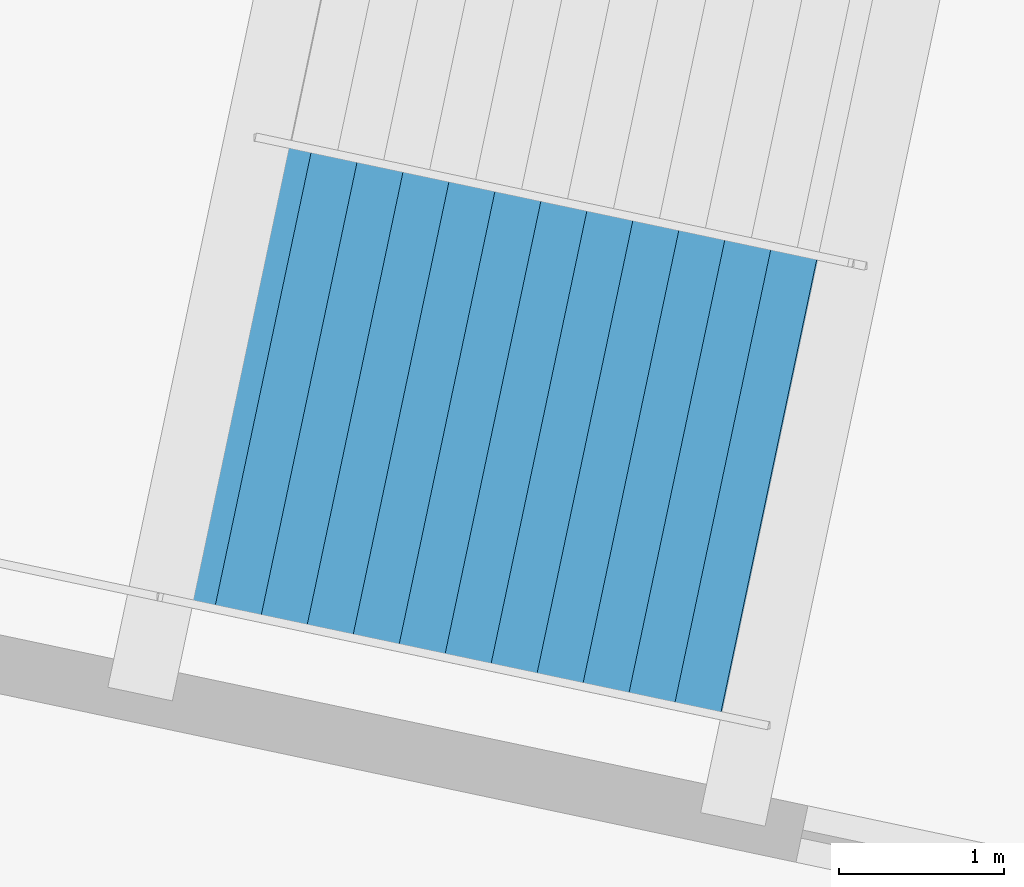
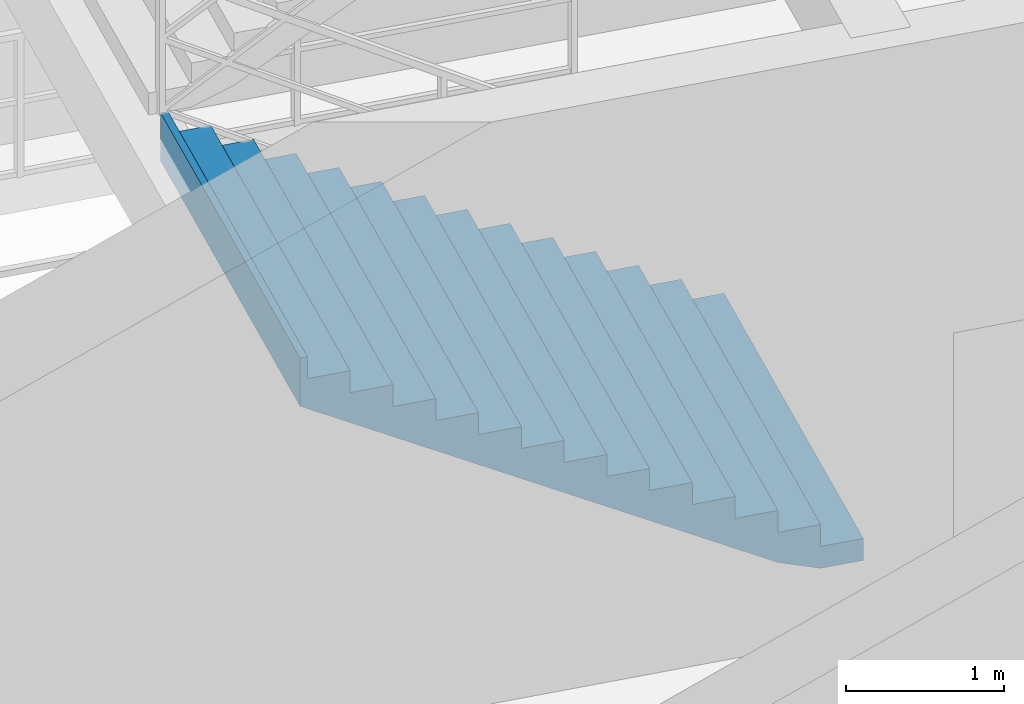
# One storey, part 140 of 156: 1 stair flight, 1 element without a shape of its own.
"""IFC4 building model written with IfcOpenShell, lengths in metres."""

from ifc_helpers import new_model, si_unit, direction, frame, origin, place, context, subcontext, project, spatial, polygons, material, type_object, element, aggregate, save


model = new_model("IFC4")

# Units and contexts
model_context = context("Model", 3, precision=1e-05, world=origin(), true_north=direction((0.0, 1.0)))
body_context = subcontext(model_context, "Body", "Model", "MODEL_VIEW")
ifc_project = project(units=[si_unit("LENGTHUNIT", "METRE"), si_unit("AREAUNIT", "SQUARE_METRE"), si_unit("VOLUMEUNIT", "CUBIC_METRE"), si_unit("PLANEANGLEUNIT", "RADIAN"), si_unit("MASSUNIT", "GRAM", prefix="KILO")], contexts=[model_context])

# Site, building, storey
site_placement = place(None, origin())
site = spatial("IfcSite", under=ifc_project, at=site_placement, CompositionType="ELEMENT")
building_placement = place(site_placement, origin())
building = spatial("IfcBuilding", under=site, at=building_placement, Name="Kazemori Nagisa Stadium", CompositionType="ELEMENT")
storey_placement = place(building_placement, frame((0.0, 0.0, 5.780029296875)))
storey = spatial("IfcBuildingStorey", under=building, at=storey_placement, Name="L01", CompositionType="ELEMENT", Elevation=5.780029296875)

# Stair, stair flight
ifc_material = material(Name="Concrete C36/45 (Fc36)", Category="concrete")
stair_type = type_object("IfcStairType", Name="Stair_CORE_28", PredefinedType="TWO_STRAIGHT_RUN_STAIR", material=ifc_material)
stair_placement = place(storey_placement, origin())
stair = element("IfcStair", 1, at=stair_placement, inside=storey, type_object=stair_type, Name="Exit stair ST11 L01", PredefinedType="TWO_STRAIGHT_RUN_STAIR")
stair_flight_type = type_object("IfcStairFlightType", Name="Flight_CORE_14", PredefinedType="STRAIGHT", material=ifc_material)
stair_flight_placement = place(storey_placement, frame((158.251953125, 176.464111328125, 0.0), z_axis=(0.0, 0.0, 1.0), x_axis=(-0.978345854204, 0.206976785078, 0.0)))
stair_flight = element("IfcStairFlight", 2, at=stair_flight_placement, type_object=stair_flight_type, Name="Exit stair ST11 L01 flight 1", NumberOfRisers=14, NumberOfTreads=13, PredefinedType="STRAIGHT", RiserHeight=0.17, TreadLength=0.285, context=body_context, shape_type="Tessellation", body=[
    polygons([(0.0, -1.425048828125, 0.0), (0.0, -1.425048828125, 0.169921875), (0.284912109375, -1.425048828125, 0.169921875), (0.284912109375, -1.425048828125, 0.340087890625), (0.570068359375, -1.425048828125, 0.340087890625), (0.570068359375, -1.425048828125, 0.510009765625), (0.85498046875, -1.425048828125, 0.510009765625), (0.85498046875, -1.425048828125, 0.679931640625), (1.139892578125, -1.425048828125, 0.679931640625), (1.139892578125, -1.425048828125, 0.85009765625), (1.425048828125, -1.425048828125, 0.85009765625), (1.425048828125, -1.425048828125, 1.02001953125), (1.7099609375, -1.425048828125, 1.02001953125), (1.7099609375, -1.425048828125, 1.18994140625), (1.9951171875, -1.425048828125, 1.18994140625), (1.9951171875, -1.425048828125, 1.360107421875), (2.280029296875, -1.425048828125, 1.360107421875), (2.280029296875, -1.425048828125, 1.530029296875), (2.56494140625, -1.425048828125, 1.530029296875), (2.56494140625, -1.425048828125, 1.699951171875), (2.85009765625, -1.425048828125, 1.699951171875), (2.85009765625, -1.425048828125, 1.8701171875), (3.135009765625, -1.425048828125, 1.8701171875), (3.135009765625, -1.425048828125, 2.0400390625), (3.419921875, -1.425048828125, 2.0400390625), (3.419921875, -1.425048828125, 2.2099609375), (3.705078125, -1.425048828125, 2.2099609375), (3.705078125, -1.425048828125, 2.3798828125), (3.7548828125, -1.425048828125, 2.3798828125), (3.7548828125, -1.425048828125, 2.007080078125), (3.705078125, -1.425048828125, 1.977294921875), (3.419921875, -1.425048828125, 1.80712890625), (3.135009765625, -1.425048828125, 1.63720703125), (2.85009765625, -1.425048828125, 1.46728515625), (2.56494140625, -1.425048828125, 1.297119140625), (2.280029296875, -1.425048828125, 1.127197265625), (1.9951171875, -1.425048828125, 0.957275390625), (1.7099609375, -1.425048828125, 0.787109375), (1.425048828125, -1.425048828125, 0.6171875), (1.139892578125, -1.425048828125, 0.447265625), (0.85498046875, -1.425048828125, 0.277099609375), (0.570068359375, -1.425048828125, 0.107177734375), (0.284912109375, -1.425048828125, 0.0), (0.0, -0.08544921875, 0.0), (0.0, -0.08544921875, 0.169921875), (0.284912109375, -0.08544921875, 0.169921875), (0.284912109375, -0.08544921875, 0.340087890625), (0.570068359375, -0.08544921875, 0.340087890625), (0.570068359375, -0.08544921875, 0.510009765625), (0.85498046875, -0.08544921875, 0.510009765625), (0.85498046875, -0.08544921875, 0.679931640625), (1.139892578125, -0.08544921875, 0.679931640625), (1.139892578125, -0.08544921875, 0.85009765625), (1.425048828125, -0.08544921875, 0.85009765625), (1.425048828125, -0.08544921875, 1.02001953125), (1.7099609375, -0.08544921875, 1.02001953125), (1.7099609375, -0.08544921875, 1.18994140625), (1.9951171875, -0.08544921875, 1.18994140625), (1.9951171875, -0.08544921875, 1.360107421875), (2.280029296875, -0.08544921875, 1.360107421875), (2.280029296875, -0.08544921875, 1.530029296875), (2.56494140625, -0.08544921875, 1.530029296875), (2.56494140625, -0.08544921875, 1.699951171875), (2.85009765625, -0.08544921875, 1.699951171875), (2.85009765625, -0.08544921875, 1.8701171875), (3.135009765625, -0.08544921875, 1.8701171875), (3.135009765625, -0.08544921875, 2.0400390625), (3.419921875, -0.08544921875, 2.0400390625), (3.419921875, -0.08544921875, 2.2099609375), (3.705078125, -0.08544921875, 2.2099609375), (3.705078125, -0.08544921875, 2.3798828125), (3.7548828125, -0.08544921875, 2.3798828125), (3.7548828125, -0.08544921875, 2.007080078125), (3.705078125, -0.08544921875, 1.977294921875), (3.419921875, -0.08544921875, 1.80712890625), (3.135009765625, -0.08544921875, 1.63720703125), (2.85009765625, -0.08544921875, 1.46728515625), (2.56494140625, -0.08544921875, 1.297119140625), (2.280029296875, -0.08544921875, 1.127197265625), (1.9951171875, -0.08544921875, 0.957275390625), (1.7099609375, -0.08544921875, 0.787109375), (1.425048828125, -0.08544921875, 0.6171875), (1.139892578125, -0.08544921875, 0.447265625), (0.85498046875, -0.08544921875, 0.277099609375), (0.570068359375, -0.08544921875, 0.107177734375), (0.284912109375, -0.08544921875, 0.0), (0.0, 0.0, 0.0), (0.0, 0.0, 0.169921875), (0.284912109375, 0.0, 0.169921875), (0.284912109375, 0.0, 0.340087890625), (0.570068359375, 0.0, 0.340087890625), (0.570068359375, 0.0, 0.510009765625), (0.85498046875, 0.0, 0.510009765625), (0.85498046875, 0.0, 0.679931640625), (1.139892578125, 0.0, 0.679931640625), (1.139892578125, 0.0, 0.85009765625), (1.425048828125, 0.0, 0.85009765625), (1.425048828125, 0.0, 1.02001953125), (1.7099609375, 0.0, 1.02001953125), (1.7099609375, 0.0, 1.18994140625), (1.9951171875, 0.0, 1.18994140625), (1.9951171875, 0.0, 1.360107421875), (2.280029296875, 0.0, 1.360107421875), (2.280029296875, 0.0, 1.530029296875), (2.56494140625, 0.0, 1.530029296875), (2.56494140625, 0.0, 1.699951171875), (2.85009765625, 0.0, 1.699951171875), (2.85009765625, 0.0, 1.8701171875), (3.135009765625, 0.0, 1.8701171875), (3.135009765625, 0.0, 2.0400390625), (3.419921875, 0.0, 2.0400390625), (3.419921875, 0.0, 2.2099609375), (3.705078125, 0.0, 2.2099609375), (3.705078125, 0.0, 2.3798828125), (3.7548828125, 0.0, 2.3798828125), (3.7548828125, 0.0, 2.007080078125), (3.705078125, 0.0, 1.977294921875), (3.419921875, 0.0, 1.80712890625), (3.135009765625, 0.0, 1.63720703125), (2.85009765625, 0.0, 1.46728515625), (2.56494140625, 0.0, 1.297119140625), (2.280029296875, 0.0, 1.127197265625), (1.9951171875, 0.0, 0.957275390625), (1.7099609375, 0.0, 0.787109375), (1.425048828125, 0.0, 0.6171875), (1.139892578125, 0.0, 0.447265625), (0.85498046875, 0.0, 0.277099609375), (0.570068359375, 0.0, 0.107177734375), (0.284912109375, 0.0, 0.0), (0.0, 0.08544921875, 0.0), (0.0, 0.08544921875, 0.169921875), (0.284912109375, 0.08544921875, 0.169921875), (0.284912109375, 0.08544921875, 0.340087890625), (0.570068359375, 0.08544921875, 0.340087890625), (0.570068359375, 0.08544921875, 0.510009765625), (0.85498046875, 0.08544921875, 0.510009765625), (0.85498046875, 0.08544921875, 0.679931640625), (1.139892578125, 0.08544921875, 0.679931640625), (1.139892578125, 0.08544921875, 0.85009765625), (1.425048828125, 0.08544921875, 0.85009765625), (1.425048828125, 0.08544921875, 1.02001953125), (1.7099609375, 0.08544921875, 1.02001953125), (1.7099609375, 0.08544921875, 1.18994140625), (1.9951171875, 0.08544921875, 1.18994140625), (1.9951171875, 0.08544921875, 1.360107421875), (2.280029296875, 0.08544921875, 1.360107421875), (2.280029296875, 0.08544921875, 1.530029296875), (2.56494140625, 0.08544921875, 1.530029296875), (2.56494140625, 0.08544921875, 1.699951171875), (2.85009765625, 0.08544921875, 1.699951171875), (2.85009765625, 0.08544921875, 1.8701171875), (3.135009765625, 0.08544921875, 1.8701171875), (3.135009765625, 0.08544921875, 2.0400390625), (3.419921875, 0.08544921875, 2.0400390625), (3.419921875, 0.08544921875, 2.2099609375), (3.705078125, 0.08544921875, 2.2099609375), (3.705078125, 0.08544921875, 2.3798828125), (3.7548828125, 0.08544921875, 2.3798828125), (3.7548828125, 0.08544921875, 2.007080078125), (3.705078125, 0.08544921875, 1.977294921875), (3.419921875, 0.08544921875, 1.80712890625), (3.135009765625, 0.08544921875, 1.63720703125), (2.85009765625, 0.08544921875, 1.46728515625), (2.56494140625, 0.08544921875, 1.297119140625), (2.280029296875, 0.08544921875, 1.127197265625), (1.9951171875, 0.08544921875, 0.957275390625), (1.7099609375, 0.08544921875, 0.787109375), (1.425048828125, 0.08544921875, 0.6171875), (1.139892578125, 0.08544921875, 0.447265625), (0.85498046875, 0.08544921875, 0.277099609375), (0.570068359375, 0.08544921875, 0.107177734375), (0.284912109375, 0.08544921875, 0.0), (0.0, 1.425048828125, 0.0), (0.0, 1.425048828125, 0.169921875), (0.284912109375, 1.425048828125, 0.169921875), (0.284912109375, 1.425048828125, 0.340087890625), (0.570068359375, 1.425048828125, 0.340087890625), (0.570068359375, 1.425048828125, 0.510009765625), (0.85498046875, 1.425048828125, 0.510009765625), (0.85498046875, 1.425048828125, 0.679931640625), (1.139892578125, 1.425048828125, 0.679931640625), (1.139892578125, 1.425048828125, 0.85009765625), (1.425048828125, 1.425048828125, 0.85009765625), (1.425048828125, 1.425048828125, 1.02001953125), (1.7099609375, 1.425048828125, 1.02001953125), (1.7099609375, 1.425048828125, 1.18994140625), (1.9951171875, 1.425048828125, 1.18994140625), (1.9951171875, 1.425048828125, 1.360107421875), (2.280029296875, 1.425048828125, 1.360107421875), (2.280029296875, 1.425048828125, 1.530029296875), (2.56494140625, 1.425048828125, 1.530029296875), (2.56494140625, 1.425048828125, 1.699951171875), (2.85009765625, 1.425048828125, 1.699951171875), (2.85009765625, 1.425048828125, 1.8701171875), (3.135009765625, 1.425048828125, 1.8701171875), (3.135009765625, 1.425048828125, 2.0400390625), (3.419921875, 1.425048828125, 2.0400390625), (3.419921875, 1.425048828125, 2.2099609375), (3.705078125, 1.425048828125, 2.2099609375), (3.705078125, 1.425048828125, 2.3798828125), (3.7548828125, 1.425048828125, 2.3798828125), (3.7548828125, 1.425048828125, 2.007080078125), (3.705078125, 1.425048828125, 1.977294921875), (3.419921875, 1.425048828125, 1.80712890625), (3.135009765625, 1.425048828125, 1.63720703125), (2.85009765625, 1.425048828125, 1.46728515625), (2.56494140625, 1.425048828125, 1.297119140625), (2.280029296875, 1.425048828125, 1.127197265625), (1.9951171875, 1.425048828125, 0.957275390625), (1.7099609375, 1.425048828125, 0.787109375), (1.425048828125, 1.425048828125, 0.6171875), (1.139892578125, 1.425048828125, 0.447265625), (0.85498046875, 1.425048828125, 0.277099609375), (0.570068359375, 1.425048828125, 0.107177734375), (0.284912109375, 1.425048828125, 0.0)], [[[1, 2, 45]], [[1, 45, 44]], [[2, 3, 46]], [[2, 46, 45]], [[3, 4, 47]], [[3, 47, 46]], [[4, 5, 48]], [[4, 48, 47]], [[5, 6, 49]], [[5, 49, 48]], [[6, 7, 50]], [[6, 50, 49]], [[7, 8, 51]], [[7, 51, 50]], [[8, 9, 52]], [[8, 52, 51]], [[9, 10, 53]], [[9, 53, 52]], [[10, 11, 54]], [[10, 54, 53]], [[11, 12, 55]], [[11, 55, 54]], [[12, 13, 56]], [[12, 56, 55]], [[13, 14, 57]], [[13, 57, 56]], [[14, 15, 58]], [[14, 58, 57]], [[15, 16, 59]], [[15, 59, 58]], [[16, 17, 60]], [[16, 60, 59]], [[17, 18, 61]], [[17, 61, 60]], [[18, 19, 62]], [[18, 62, 61]], [[19, 20, 63]], [[19, 63, 62]], [[20, 21, 64]], [[20, 64, 63]], [[21, 22, 65]], [[21, 65, 64]], [[22, 23, 66]], [[22, 66, 65]], [[23, 24, 67]], [[23, 67, 66]], [[24, 25, 68]], [[24, 68, 67]], [[25, 26, 69]], [[25, 69, 68]], [[26, 27, 70]], [[26, 70, 69]], [[27, 28, 71]], [[27, 71, 70]], [[28, 29, 72]], [[28, 72, 71]], [[29, 30, 73]], [[29, 73, 72]], [[30, 31, 74]], [[30, 74, 73]], [[31, 32, 75]], [[31, 75, 74]], [[32, 33, 76]], [[32, 76, 75]], [[33, 34, 77]], [[33, 77, 76]], [[34, 35, 78]], [[34, 78, 77]], [[35, 36, 79]], [[35, 79, 78]], [[36, 37, 80]], [[36, 80, 79]], [[37, 38, 81]], [[37, 81, 80]], [[38, 39, 82]], [[38, 82, 81]], [[39, 40, 83]], [[39, 83, 82]], [[40, 41, 84]], [[40, 84, 83]], [[41, 42, 85]], [[41, 85, 84]], [[42, 43, 86]], [[42, 86, 85]], [[43, 1, 44]], [[43, 44, 86]], [[44, 45, 88]], [[44, 88, 87]], [[45, 46, 89]], [[45, 89, 88]], [[46, 47, 90]], [[46, 90, 89]], [[47, 48, 91]], [[47, 91, 90]], [[48, 49, 92]], [[48, 92, 91]], [[49, 50, 93]], [[49, 93, 92]], [[50, 51, 94]], [[50, 94, 93]], [[51, 52, 95]], [[51, 95, 94]], [[52, 53, 96]], [[52, 96, 95]], [[53, 54, 97]], [[53, 97, 96]], [[54, 55, 98]], [[54, 98, 97]], [[55, 56, 99]], [[55, 99, 98]], [[56, 57, 100]], [[56, 100, 99]], [[57, 58, 101]], [[57, 101, 100]], [[58, 59, 102]], [[58, 102, 101]], [[59, 60, 103]], [[59, 103, 102]], [[60, 61, 104]], [[60, 104, 103]], [[61, 62, 105]], [[61, 105, 104]], [[62, 63, 106]], [[62, 106, 105]], [[63, 64, 107]], [[63, 107, 106]], [[64, 65, 108]], [[64, 108, 107]], [[65, 66, 109]], [[65, 109, 108]], [[66, 67, 110]], [[66, 110, 109]], [[67, 68, 111]], [[67, 111, 110]], [[68, 69, 112]], [[68, 112, 111]], [[69, 70, 113]], [[69, 113, 112]], [[70, 71, 114]], [[70, 114, 113]], [[71, 72, 115]], [[71, 115, 114]], [[72, 73, 116]], [[72, 116, 115]], [[73, 74, 117]], [[73, 117, 116]], [[74, 75, 118]], [[74, 118, 117]], [[75, 76, 119]], [[75, 119, 118]], [[76, 77, 120]], [[76, 120, 119]], [[77, 78, 121]], [[77, 121, 120]], [[78, 79, 122]], [[78, 122, 121]], [[79, 80, 123]], [[79, 123, 122]], [[80, 81, 124]], [[80, 124, 123]], [[81, 82, 125]], [[81, 125, 124]], [[82, 83, 126]], [[82, 126, 125]], [[83, 84, 127]], [[83, 127, 126]], [[84, 85, 128]], [[84, 128, 127]], [[85, 86, 129]], [[85, 129, 128]], [[86, 44, 87]], [[86, 87, 129]], [[87, 88, 131]], [[87, 131, 130]], [[88, 89, 132]], [[88, 132, 131]], [[89, 90, 133]], [[89, 133, 132]], [[90, 91, 134]], [[90, 134, 133]], [[91, 92, 135]], [[91, 135, 134]], [[92, 93, 136]], [[92, 136, 135]], [[93, 94, 137]], [[93, 137, 136]], [[94, 95, 138]], [[94, 138, 137]], [[95, 96, 139]], [[95, 139, 138]], [[96, 97, 140]], [[96, 140, 139]], [[97, 98, 141]], [[97, 141, 140]], [[98, 99, 142]], [[98, 142, 141]], [[99, 100, 143]], [[99, 143, 142]], [[100, 101, 144]], [[100, 144, 143]], [[101, 102, 145]], [[101, 145, 144]], [[102, 103, 146]], [[102, 146, 145]], [[103, 104, 147]], [[103, 147, 146]], [[104, 105, 148]], [[104, 148, 147]], [[105, 106, 149]], [[105, 149, 148]], [[106, 107, 150]], [[106, 150, 149]], [[107, 108, 151]], [[107, 151, 150]], [[108, 109, 152]], [[108, 152, 151]], [[109, 110, 153]], [[109, 153, 152]], [[110, 111, 154]], [[110, 154, 153]], [[111, 112, 155]], [[111, 155, 154]], [[112, 113, 156]], [[112, 156, 155]], [[113, 114, 157]], [[113, 157, 156]], [[114, 115, 158]], [[114, 158, 157]], [[115, 116, 159]], [[115, 159, 158]], [[116, 117, 160]], [[116, 160, 159]], [[117, 118, 161]], [[117, 161, 160]], [[118, 119, 162]], [[118, 162, 161]], [[119, 120, 163]], [[119, 163, 162]], [[120, 121, 164]], [[120, 164, 163]], [[121, 122, 165]], [[121, 165, 164]], [[122, 123, 166]], [[122, 166, 165]], [[123, 124, 167]], [[123, 167, 166]], [[124, 125, 168]], [[124, 168, 167]], [[125, 126, 169]], [[125, 169, 168]], [[126, 127, 170]], [[126, 170, 169]], [[127, 128, 171]], [[127, 171, 170]], [[128, 129, 172]], [[128, 172, 171]], [[129, 87, 130]], [[129, 130, 172]], [[130, 131, 174]], [[130, 174, 173]], [[131, 132, 175]], [[131, 175, 174]], [[132, 133, 176]], [[132, 176, 175]], [[133, 134, 177]], [[133, 177, 176]], [[134, 135, 178]], [[134, 178, 177]], [[135, 136, 179]], [[135, 179, 178]], [[136, 137, 180]], [[136, 180, 179]], [[137, 138, 181]], [[137, 181, 180]], [[138, 139, 182]], [[138, 182, 181]], [[139, 140, 183]], [[139, 183, 182]], [[140, 141, 184]], [[140, 184, 183]], [[141, 142, 185]], [[141, 185, 184]], [[142, 143, 186]], [[142, 186, 185]], [[143, 144, 187]], [[143, 187, 186]], [[144, 145, 188]], [[144, 188, 187]], [[145, 146, 189]], [[145, 189, 188]], [[146, 147, 190]], [[146, 190, 189]], [[147, 148, 191]], [[147, 191, 190]], [[148, 149, 192]], [[148, 192, 191]], [[149, 150, 193]], [[149, 193, 192]], [[150, 151, 194]], [[150, 194, 193]], [[151, 152, 195]], [[151, 195, 194]], [[152, 153, 196]], [[152, 196, 195]], [[153, 154, 197]], [[153, 197, 196]], [[154, 155, 198]], [[154, 198, 197]], [[155, 156, 199]], [[155, 199, 198]], [[156, 157, 200]], [[156, 200, 199]], [[157, 158, 201]], [[157, 201, 200]], [[158, 159, 202]], [[158, 202, 201]], [[159, 160, 203]], [[159, 203, 202]], [[160, 161, 204]], [[160, 204, 203]], [[161, 162, 205]], [[161, 205, 204]], [[162, 163, 206]], [[162, 206, 205]], [[163, 164, 207]], [[163, 207, 206]], [[164, 165, 208]], [[164, 208, 207]], [[165, 166, 209]], [[165, 209, 208]], [[166, 167, 210]], [[166, 210, 209]], [[167, 168, 211]], [[167, 211, 210]], [[168, 169, 212]], [[168, 212, 211]], [[169, 170, 213]], [[169, 213, 212]], [[170, 171, 214]], [[170, 214, 213]], [[171, 172, 215]], [[171, 215, 214]], [[172, 130, 173]], [[172, 173, 215]], [[3, 2, 1]], [[173, 174, 175]], [[43, 3, 1]], [[173, 175, 215]], [[42, 3, 43]], [[215, 175, 214]], [[5, 3, 42]], [[214, 175, 177]], [[5, 4, 3]], [[175, 176, 177]], [[41, 5, 42]], [[214, 177, 213]], [[7, 5, 41]], [[213, 177, 179]], [[7, 6, 5]], [[177, 178, 179]], [[40, 7, 41]], [[213, 179, 212]], [[9, 7, 40]], [[212, 179, 181]], [[9, 8, 7]], [[179, 180, 181]], [[39, 9, 40]], [[212, 181, 211]], [[11, 9, 39]], [[211, 181, 183]], [[11, 10, 9]], [[181, 182, 183]], [[38, 11, 39]], [[211, 183, 210]], [[13, 11, 38]], [[210, 183, 185]], [[13, 12, 11]], [[183, 184, 185]], [[37, 13, 38]], [[210, 185, 209]], [[15, 13, 37]], [[209, 185, 187]], [[15, 14, 13]], [[185, 186, 187]], [[36, 15, 37]], [[209, 187, 208]], [[17, 15, 36]], [[208, 187, 189]], [[17, 16, 15]], [[187, 188, 189]], [[35, 17, 36]], [[208, 189, 207]], [[19, 17, 35]], [[207, 189, 191]], [[19, 18, 17]], [[189, 190, 191]], [[34, 19, 35]], [[207, 191, 206]], [[21, 19, 34]], [[206, 191, 193]], [[21, 20, 19]], [[191, 192, 193]], [[33, 21, 34]], [[206, 193, 205]], [[23, 21, 33]], [[205, 193, 195]], [[23, 22, 21]], [[193, 194, 195]], [[32, 23, 33]], [[205, 195, 204]], [[25, 23, 32]], [[204, 195, 197]], [[25, 24, 23]], [[195, 196, 197]], [[31, 25, 32]], [[204, 197, 203]], [[27, 25, 31]], [[203, 197, 199]], [[27, 26, 25]], [[197, 198, 199]], [[30, 27, 31]], [[203, 199, 202]], [[29, 27, 30]], [[202, 199, 201]], [[29, 28, 27]], [[199, 200, 201]]], closed=True),
])
aggregate(stair, [stair_flight])

save(model, "model.ifc")
